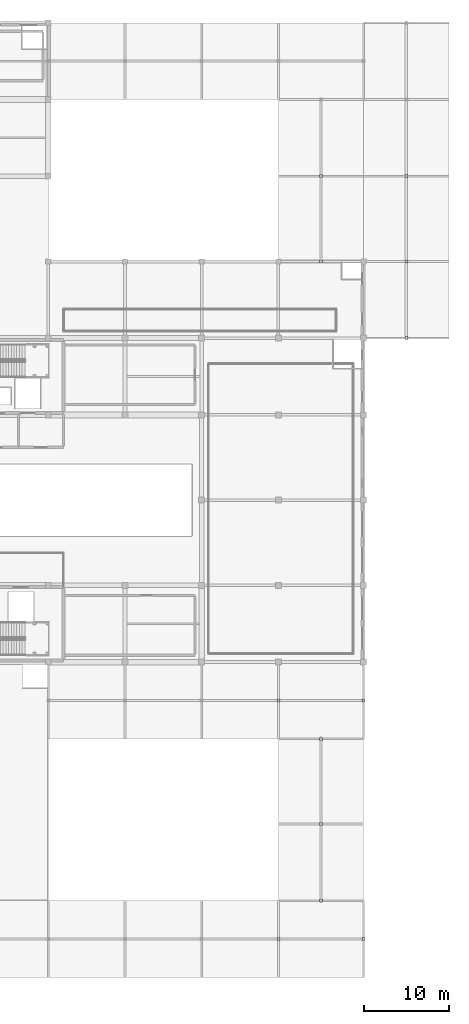
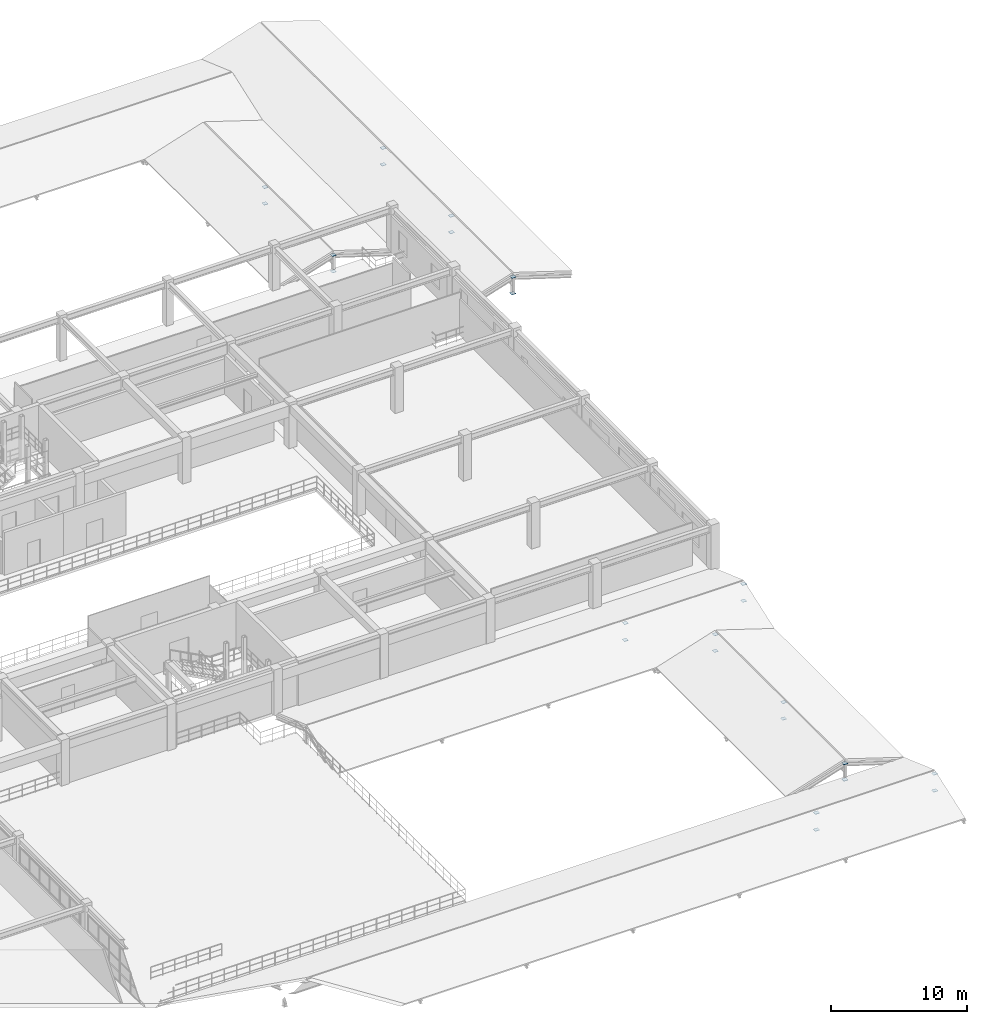
# One storey, part 91 of 110: 24 plates.
"""IFC4 building model written with IfcOpenShell, lengths in metres."""

from ifc_helpers import new_model, si_unit, direction, frame, origin, origin_2d, place, context, subcontext, project, spatial, rectangle, extrude, material, layer, layer_set, type_object, element, save


model = new_model("IFC4")

# Units and contexts
model_context = context("Model", 3, precision=1e-05, world=origin(), true_north=direction((0.0, 1.0)))
body_context = subcontext(model_context, "Body", "Model", "MODEL_VIEW")
ifc_project = project(units=[si_unit("LENGTHUNIT", "METRE"), si_unit("AREAUNIT", "SQUARE_METRE"), si_unit("VOLUMEUNIT", "CUBIC_METRE"), si_unit("PLANEANGLEUNIT", "RADIAN"), si_unit("MASSUNIT", "GRAM", prefix="KILO")], contexts=[model_context])

# Site, building, storey
site_placement = place(None, origin())
site = spatial("IfcSite", under=ifc_project, at=site_placement, CompositionType="ELEMENT")
building_placement = place(site_placement, origin())
building = spatial("IfcBuilding", under=site, at=building_placement, Name="Miravela Opera House", CompositionType="ELEMENT")
storey_placement = place(building_placement, frame((0.0, 0.0, 13.60009765625)))
storey = spatial("IfcBuildingStorey", under=building, at=storey_placement, Name="L03", CompositionType="ELEMENT", Elevation=13.60009765625)

# Plates
ifc_material = material(Name="Structural steel ASTM A572 Gr. 50", Category="steel")
ifc_layer = layer(ifc_material, 0.02001953125)
ifc_layer_set = layer_set([ifc_layer])
plate_type = type_object("IfcPlateType", Name="STR-PL-CAP-350X350X20", PredefinedType="SHEET", material=ifc_layer_set)
for number, where, z_axis, x_axis, name in (
    (1, (159.0, 75.0, -0.26416015625), (0.0, 0.0, 1.0), (1.0, 0.0, 0.0), "HSS Welded End Cap Plate 112"),
    (2, (159.0, 75.0, 1.2138671875), (0.0, 0.0, 1.0), (1.0, 0.0, 0.0), "HSS Welded End Cap Plate 113"),
    (3, (159.0, 84.0, -0.26416015625), (0.0, 0.0, 1.0), (1.0, 0.0, 0.0), "HSS Welded End Cap Plate 114"),
    (4, (159.0, 84.0, 1.2138671875), (0.0, 0.0, 1.0), (1.0, 0.0, 0.0), "HSS Welded End Cap Plate 115"),
    (5, (159.0, 94.0, -0.26416015625), (0.0, 0.0, 1.0), (1.0, 0.0, 0.0), "HSS Welded End Cap Plate 116"),
    (6, (159.0, 94.0, 1.2138671875), (0.0, 0.0, 1.0), (1.0, 0.0, 0.0), "HSS Welded End Cap Plate 117"),
    (7, (144.0, 4.5, -0.26416015625), (0.0, 0.0, 1.0), (1.0, 0.0, 0.0), "HSS Welded End Cap Plate 134"),
    (8, (144.0, 4.5, 1.25390625), (0.0, 0.0, 1.0), (1.0, 0.0, 0.0), "HSS Welded End Cap Plate 135"),
    (9, (154.0, 4.5, -0.26416015625), (0.0, 0.0, 1.0), (1.0, 0.0, 0.0), "HSS Welded End Cap Plate 136"),
    (10, (154.0, 4.5, 1.25390625), (0.0, 0.0, 1.0), (1.0, 0.0, 0.0), "HSS Welded End Cap Plate 137"),
    (11, (149.0, 9.0, -0.26416015625), (0.0, 0.0, 1.0), (1.0, 0.0, 0.0), "HSS Welded End Cap Plate 138"),
    (12, (149.0, 9.0, 1.2138671875), (0.0, 0.0, 1.0), (1.0, 0.0, 0.0), "HSS Welded End Cap Plate 139"),
    (13, (149.0, 18.0, -0.26416015625), (0.0, 0.0, 1.0), (1.0, 0.0, 0.0), "HSS Welded End Cap Plate 140"),
    (14, (149.0, 18.0, 1.2138671875), (0.0, 0.0, 1.0), (1.0, 0.0, 0.0), "HSS Welded End Cap Plate 141"),
    (15, (149.0, 28.0, -0.26416015625), (0.0, 0.0, 1.0), (1.0, 0.0, 0.0), "HSS Welded End Cap Plate 142"),
    (16, (149.0, 28.0, 1.2138671875), (0.0, 0.0, 1.0), (1.0, 0.0, 0.0), "HSS Welded End Cap Plate 143"),
    (17, (144.0, 32.5, -0.26416015625), (0.0, 0.0, 1.0), (1.0, 0.0, 0.0), "HSS Welded End Cap Plate 150"),
    (18, (144.0, 32.5, 1.25390625), (0.0, 0.0, 1.0), (1.0, 0.0, 0.0), "HSS Welded End Cap Plate 151"),
    (19, (154.0, 32.5, -0.26416015625), (0.0, 0.0, 1.0), (1.0, 0.0, 0.0), "HSS Welded End Cap Plate 152"),
    (20, (154.0, 32.5, 1.25390625), (0.0, 0.0, 1.0), (1.0, 0.0, 0.0), "HSS Welded End Cap Plate 153"),
    (21, (149.0, 84.0, -0.26416015625), (0.0, 0.0, 1.0), (1.0, 0.0, 0.0), "HSS Welded End Cap Plate 154"),
    (22, (149.0, 84.0, 1.2138671875), (0.0, 0.0, 1.0), (1.0, 0.0, 0.0), "HSS Welded End Cap Plate 155"),
    (23, (149.0, 94.0, -0.26416015625), (0.0, 0.0, 1.0), (1.0, 0.0, 0.0), "HSS Welded End Cap Plate 156"),
    (24, (149.0, 94.0, 1.2138671875), (0.0, 0.0, 1.0), (1.0, 0.0, 0.0), "HSS Welded End Cap Plate 157"),
):
    element("IfcPlate", number, at=place(storey_placement, frame(where, z_axis=z_axis, x_axis=x_axis)), inside=storey, type_object=plate_type, Name=name, PredefinedType="SHEET", context=body_context, shape_type="SweptSolid", body=[
        extrude(rectangle(XDim=0.35009765625, YDim=0.35009765625, at=origin_2d()), origin(), (0.0, 0.0, 1.0), 0.02001953125),
    ])

save(model, "model.ifc")
